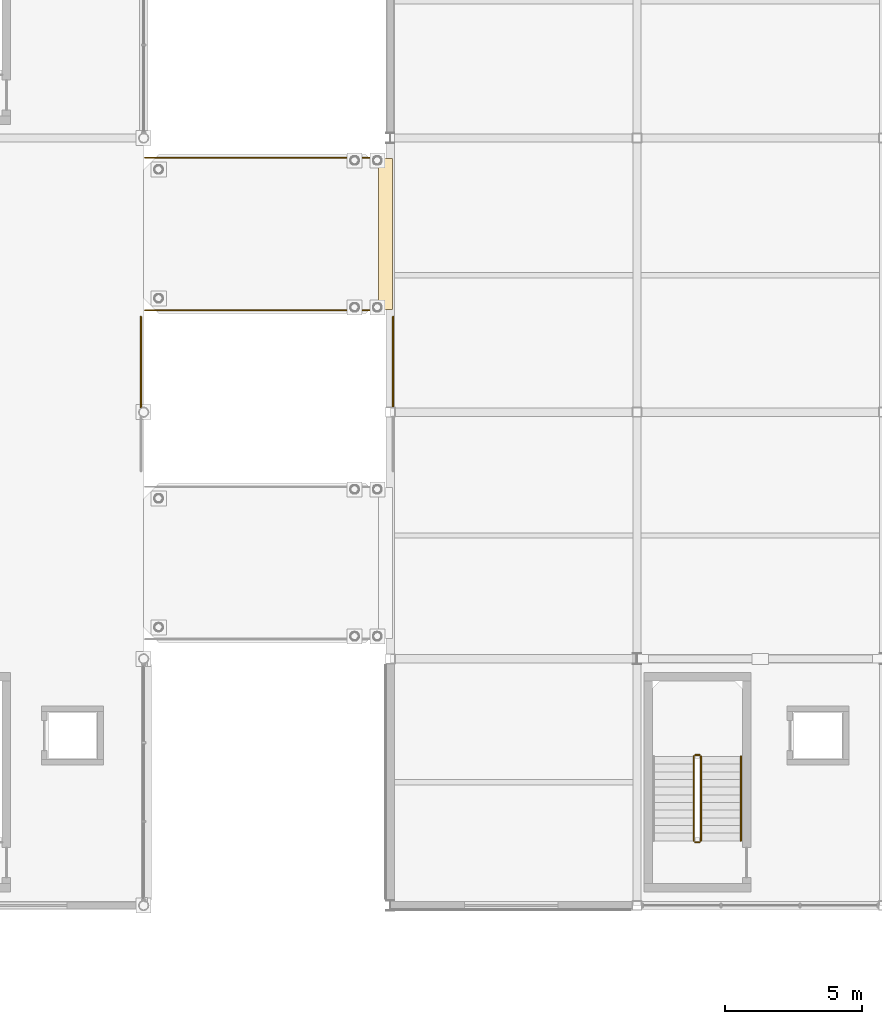
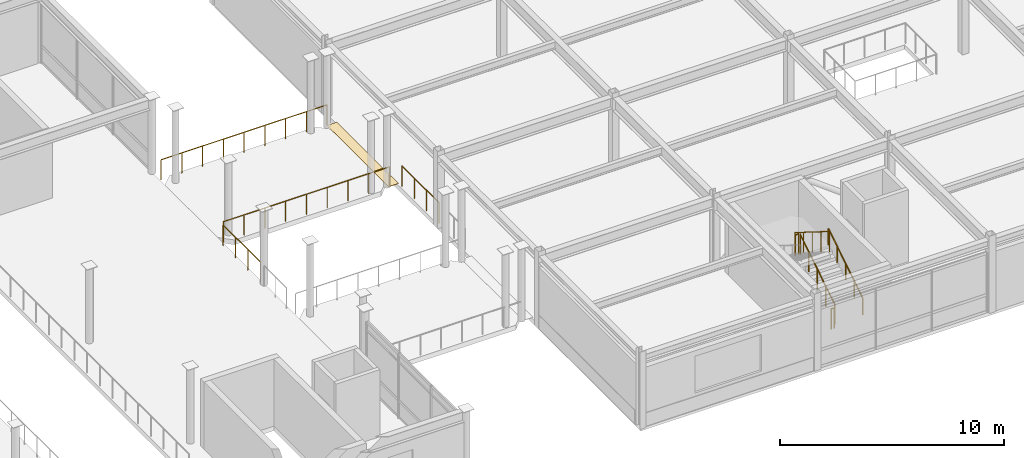
# One storey, part 47 of 53: 9 railings, 1 covering.
"""IFC4 building model written with IfcOpenShell, lengths in metres."""

from ifc_helpers import new_model, si_unit, direction, frame, origin, origin_2d, place, context, subcontext, project, spatial, polyline, circle, outline, extrude, material, layer, layer_set, type_object, element, save


model = new_model("IFC4")

# Units and contexts
model_context = context("Model", 3, precision=1e-05, world=origin(), true_north=direction((0.0, 1.0)))
body_context = subcontext(model_context, "Body", "Model", "MODEL_VIEW")
ifc_project = project(units=[si_unit("LENGTHUNIT", "METRE"), si_unit("AREAUNIT", "SQUARE_METRE"), si_unit("VOLUMEUNIT", "CUBIC_METRE"), si_unit("PLANEANGLEUNIT", "RADIAN"), si_unit("MASSUNIT", "GRAM", prefix="KILO")], contexts=[model_context])

# Site, building, storey
site_placement = place(None, origin())
site = spatial("IfcSite", under=ifc_project, at=site_placement, CompositionType="ELEMENT")
building_placement = place(site_placement, origin())
building = spatial("IfcBuilding", under=site, at=building_placement, Name="Suzunagisa Mobility Hub", CompositionType="ELEMENT")
storey_placement = place(building_placement, frame((0.0, 0.0, 17.699951171875)))
storey = spatial("IfcBuildingStorey", under=building, at=storey_placement, Name="L04", CompositionType="ELEMENT", Elevation=17.699951171875)

# Railings
ifc_material_1 = material(Name="Stainless Steel SUS304", Category="metal")
railing_type_1 = type_object("IfcRailingType", Name="Interior Well Guardrail IGR-01", PredefinedType="GUARDRAIL", material=ifc_material_1)
railing_1_placement = place(storey_placement, frame((56.330078125, 82.360107421875, 0.175048828125)))
element("IfcRailing", 1, at=railing_1_placement, inside=storey, type_object=railing_type_1, Name="L04 ST-07 stair guard 1", PredefinedType="GUARDRAIL", context=body_context, shape_type="SweptSolid", body=[
    extrude(circle(Radius=0.02392578125, at=origin_2d()), frame((0.0, 0.0, 1.09619140625), z_axis=(0.0, 0.847979421464, 0.530029150871), x_axis=(-1.0, 0.0, 0.0)), (0.0, 0.0, 1.0), 3.632080078125),
    extrude(circle(Radius=0.02099609375, at=origin_2d()), origin(), (0.0, 0.0, 1.0), 1.072021484375),
    extrude(circle(Radius=0.02099609375, at=origin_2d()), frame((0.0, 0.77001953125, 0.481201171875)), (0.0, 0.0, 1.0), 1.072021484375),
    extrude(circle(Radius=0.02099609375, at=origin_2d()), frame((0.0, 1.5400390625, 0.96240234375)), (0.0, 0.0, 1.0), 1.072021484375),
    extrude(circle(Radius=0.02099609375, at=origin_2d()), frame((0.0, 2.309814453125, 1.44384765625)), (0.0, 0.0, 1.0), 1.072021484375),
    extrude(circle(Radius=0.02099609375, at=origin_2d()), frame((0.0, 3.079833984375, 1.925048828125)), (0.0, 0.0, 1.0), 1.072021484375),
])
railing_2_placement = place(storey_placement, frame((56.280029296875, 85.489990234375, 2.10009765625)))
element("IfcRailing", 2, at=railing_2_placement, inside=storey, type_object=railing_type_1, Name="L04 ST-07 stair guard 2", PredefinedType="GUARDRAIL", context=body_context, shape_type="SweptSolid", body=[
    extrude(circle(Radius=0.02392578125, at=origin_2d()), frame((0.0, 0.0, 1.09619140625), z_axis=(-1.0, 0.0, 0.0), x_axis=(0.0, -1.0, 0.0)), (0.0, 0.0, 1.0), 0.159912109375),
    extrude(circle(Radius=0.02099609375, at=origin_2d()), origin(), (0.0, 0.0, 1.0), 1.072021484375),
    extrude(circle(Radius=0.02099609375, at=origin_2d()), frame((-0.159912109375, 0.0, 0.0)), (0.0, 0.0, 1.0), 1.072021484375),
])
railing_3_placement = place(storey_placement, frame((56.070068359375, 85.43994140625, 2.275146484375)))
element("IfcRailing", 3, at=railing_3_placement, inside=storey, type_object=railing_type_1, Name="L04 ST-07 stair guard 3", PredefinedType="GUARDRAIL", context=body_context, shape_type="SweptSolid", body=[
    extrude(circle(Radius=0.02392578125, at=origin_2d()), frame((0.0, 0.0, 1.09619140625), z_axis=(0.0, -0.848009633417, 0.529980812513), x_axis=(1.0, 0.0, 0.0)), (0.0, 0.0, 1.0), 3.6318359375),
    extrude(circle(Radius=0.02099609375, at=origin_2d()), origin(), (0.0, 0.0, 1.0), 1.072021484375),
    extrude(circle(Radius=0.02099609375, at=origin_2d()), frame((0.0, -0.77001953125, 0.481201171875)), (0.0, 0.0, 1.0), 1.072021484375),
    extrude(circle(Radius=0.02099609375, at=origin_2d()), frame((0.0, -1.5400390625, 0.96240234375)), (0.0, 0.0, 1.0), 1.072021484375),
    extrude(circle(Radius=0.02099609375, at=origin_2d()), frame((0.0, -2.309814453125, 1.443603515625)), (0.0, 0.0, 1.0), 1.072021484375),
    extrude(circle(Radius=0.02099609375, at=origin_2d()), frame((0.0, -3.079833984375, 1.9248046875)), (0.0, 0.0, 1.0), 1.072021484375),
])
railing_4_placement = place(storey_placement, frame((56.280029296875, 82.31005859375, 0.0)))
element("IfcRailing", 4, at=railing_4_placement, inside=storey, type_object=railing_type_1, Name="L04 ST-07 stair guard 4", PredefinedType="GUARDRAIL", context=body_context, shape_type="SweptSolid", body=[
    extrude(circle(Radius=0.02392578125, at=origin_2d()), frame((0.0, 0.0, 1.09619140625), z_axis=(-1.0, 0.0, 0.0), x_axis=(0.0, -1.0, 0.0)), (0.0, 0.0, 1.0), 0.159912109375),
    extrude(circle(Radius=0.02099609375, at=origin_2d()), origin(), (0.0, 0.0, 1.0), 1.072021484375),
    extrude(circle(Radius=0.02099609375, at=origin_2d()), frame((-0.159912109375, 0.0, 0.0)), (0.0, 0.0, 1.0), 1.072021484375),
])

# Covering
ifc_material_2 = material(Name="Polished Aggregate Terrazzo Finish")
ifc_layer = layer(ifc_material_2, 0.02001953125)
ifc_layer_set = layer_set([ifc_layer], Name="Polished Aggregate Terrazzo Finish")
covering_type = type_object("IfcCoveringType", Name="Polished Terrazzo Heavy-Traffic Flooring FLR-01", PredefinedType="FLOORING", material=ifc_layer_set)
covering_placement = place(storey_placement, frame((0.0, 0.0, -0.02001953125)))
element("IfcCovering", 5, at=covering_placement, inside=storey, type_object=covering_type, Name="L04 Flush Hinged Seismic Threshold Plate VRL-L04-N", PredefinedType="FLOORING", context=body_context, shape_type="SweptSolid", body=[
    extrude(outline(polyline([(44.570068359375, 101.75), (45.080078125, 101.75), (45.080078125, 107.25), (44.570068359375, 107.25), (44.570068359375, 101.75)])), origin(), (0.0, 0.0, 1.0), 0.02001953125),
])

# Railings
ifc_material_3 = material(Name="Anodized Aluminum and Stainless Steel SUS316", Category="metal")
railing_type_2 = type_object("IfcRailingType", Name="Streamline Ship-Deck Tubular Balustrade BL-01", PredefinedType="BALUSTRADE", material=ifc_material_3)
railing_5_placement = place(storey_placement, frame((35.89990234375, 98.177734375, 0.0)))
element("IfcRailing", 6, at=railing_5_placement, inside=storey, type_object=railing_type_2, Name="L04 Skybridge Threshold Side Guardrail BSG-10", PredefinedType="BALUSTRADE", context=body_context, shape_type="SweptSolid", body=[
    extrude(circle(Radius=0.02392578125, at=origin_2d()), frame((0.0, 0.0, 1.11572265625), z_axis=(0.0, 1.0, 0.0), x_axis=(-1.0, 0.0, 0.0)), (0.0, 0.0, 1.0), 3.30224609375),
    extrude(circle(Radius=0.02099609375, at=origin_2d()), origin(), (0.0, 0.0, 1.0), 1.091796875),
    extrude(circle(Radius=0.02099609375, at=origin_2d()), frame((0.0, 1.100830078125, 0.0)), (0.0, 0.0, 1.0), 1.091796875),
    extrude(circle(Radius=0.02099609375, at=origin_2d()), frame((0.0, 2.201416015625, 0.0)), (0.0, 0.0, 1.0), 1.091796875),
    extrude(circle(Radius=0.02099609375, at=origin_2d()), frame((0.0, 3.30224609375, 0.0)), (0.0, 0.0, 1.0), 1.091796875),
])
railing_6_placement = place(storey_placement, frame((45.10009765625, 101.47998046875, 0.0)))
element("IfcRailing", 7, at=railing_6_placement, inside=storey, type_object=railing_type_2, Name="L04 Skybridge Threshold Side Guardrail BSG-19", PredefinedType="BALUSTRADE", context=body_context, shape_type="SweptSolid", body=[
    extrude(circle(Radius=0.02392578125, at=origin_2d()), frame((0.0, 0.0, 1.11572265625), z_axis=(0.0, -1.0, 0.0), x_axis=(1.0, 0.0, 0.0)), (0.0, 0.0, 1.0), 3.304931640625),
    extrude(circle(Radius=0.02099609375, at=origin_2d()), origin(), (0.0, 0.0, 1.0), 1.091796875),
    extrude(circle(Radius=0.02099609375, at=origin_2d()), frame((0.0, -1.1015625, 0.0)), (0.0, 0.0, 1.0), 1.091796875),
    extrude(circle(Radius=0.02099609375, at=origin_2d()), frame((0.0, -2.203369140625, 0.0)), (0.0, 0.0, 1.0), 1.091796875),
    extrude(circle(Radius=0.02099609375, at=origin_2d()), frame((0.0, -3.304931640625, 0.0)), (0.0, 0.0, 1.0), 1.091796875),
])
ifc_material_4 = material(Name="Stainless Steel SUS316", Category="metal")
railing_type_3 = type_object("IfcRailingType", Name="Terrace Stainless Steel Guardrail GR-01", PredefinedType="GUARDRAIL", material=ifc_material_4)
for number, where, name in (
    (8, (36.050048828125, 101.719970703125, 0.0), "L04 Bridge Edge Guardrail VRL-L04-N-89"),
    (9, (36.050048828125, 107.280029296875, 0.0), "L04 Bridge Edge Guardrail VRL-L04-N-90"),
):
    element("IfcRailing", number, at=place(storey_placement, frame(where)), inside=storey, type_object=railing_type_3, Name=name, PredefinedType="GUARDRAIL", context=body_context, shape_type="SweptSolid", body=[
        extrude(circle(Radius=0.02392578125, at=origin_2d()), frame((0.0, 0.0, 1.09619140625), z_axis=(1.0, 0.0, 0.0), x_axis=(0.0, 1.0, 0.0)), (0.0, 0.0, 1.0), 8.550048828125),
        extrude(circle(Radius=0.02099609375, at=origin_2d()), origin(), (0.0, 0.0, 1.0), 1.072021484375),
        extrude(circle(Radius=0.02099609375, at=origin_2d()), frame((1.06884765625, 0.0, 0.0)), (0.0, 0.0, 1.0), 1.072021484375),
        extrude(circle(Radius=0.02099609375, at=origin_2d()), frame((2.137451171875, 0.0, 0.0)), (0.0, 0.0, 1.0), 1.072021484375),
        extrude(circle(Radius=0.02099609375, at=origin_2d()), frame((3.206298828125, 0.0, 0.0)), (0.0, 0.0, 1.0), 1.072021484375),
        extrude(circle(Radius=0.02099609375, at=origin_2d()), frame((4.27490234375, 0.0, 0.0)), (0.0, 0.0, 1.0), 1.072021484375),
        extrude(circle(Radius=0.02099609375, at=origin_2d()), frame((5.34375, 0.0, 0.0)), (0.0, 0.0, 1.0), 1.072021484375),
        extrude(circle(Radius=0.02099609375, at=origin_2d()), frame((6.41259765625, 0.0, 0.0)), (0.0, 0.0, 1.0), 1.072021484375),
        extrude(circle(Radius=0.02099609375, at=origin_2d()), frame((7.481201171875, 0.0, 0.0)), (0.0, 0.0, 1.0), 1.072021484375),
        extrude(circle(Radius=0.02099609375, at=origin_2d()), frame((8.550048828125, 0.0, 0.0)), (0.0, 0.0, 1.0), 1.072021484375),
    ])
railing_type_4 = type_object("IfcRailingType", Name="Tubular Stainless Stair Handrail IHR-01", PredefinedType="HANDRAIL", material=ifc_material_1)
railing_7_placement = place(storey_placement, frame((57.7900390625, 82.360107421875, 0.175048828125)))
element("IfcRailing", 10, at=railing_7_placement, inside=storey, type_object=railing_type_4, Name="L04 ST-07 stair handrail 1", PredefinedType="HANDRAIL", context=body_context, shape_type="SweptSolid", body=[
    extrude(circle(Radius=0.02392578125, at=origin_2d()), frame((0.0, 0.0, 0.8759765625), z_axis=(0.0, 0.847979421464, 0.530029150871), x_axis=(-1.0, 0.0, 0.0)), (0.0, 0.0, 1.0), 3.632080078125),
    extrude(circle(Radius=0.02099609375, at=origin_2d()), origin(), (0.0, 0.0, 1.0), 0.851806640625),
    extrude(circle(Radius=0.02099609375, at=origin_2d()), frame((0.0, 0.77001953125, 0.481201171875)), (0.0, 0.0, 1.0), 0.851806640625),
    extrude(circle(Radius=0.02099609375, at=origin_2d()), frame((0.0, 1.5400390625, 0.96240234375)), (0.0, 0.0, 1.0), 0.851806640625),
    extrude(circle(Radius=0.02099609375, at=origin_2d()), frame((0.0, 2.309814453125, 1.44384765625)), (0.0, 0.0, 1.0), 0.851806640625),
    extrude(circle(Radius=0.02099609375, at=origin_2d()), frame((0.0, 3.079833984375, 1.925048828125)), (0.0, 0.0, 1.0), 0.851806640625),
])

save(model, "model.ifc")
